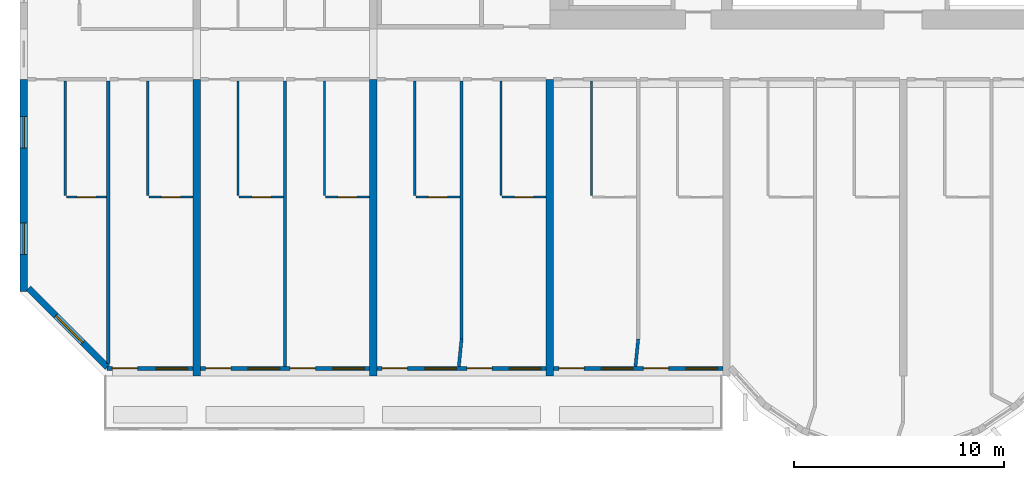
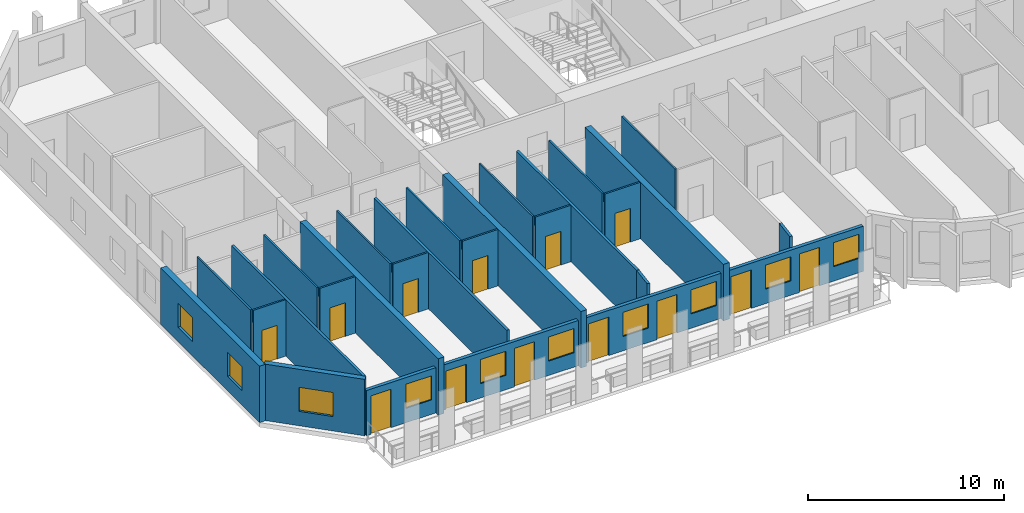
# One storey, part 2 of 14: 27 walls, 13 doors, 10 windows, 23 openings.
"""IFC4 building model written with IfcOpenShell, lengths in metres."""

from ifc_helpers import new_model, si_unit, direction, frame, frame_2d, origin, place, context, subcontext, project, spatial, rectangle, extrude, source, transform, mapped, material, layer, layer_set, type_object, element, fill, save


model = new_model("IFC4")

# Units and contexts
model_context = context("Model", 3, precision=1e-05, world=origin(), true_north=direction((0.0, 1.0)))
body_context = subcontext(model_context, "Body", "Model", "MODEL_VIEW")
ifc_project = project(units=[si_unit("LENGTHUNIT", "METRE"), si_unit("AREAUNIT", "SQUARE_METRE"), si_unit("VOLUMEUNIT", "CUBIC_METRE"), si_unit("PLANEANGLEUNIT", "RADIAN"), si_unit("MASSUNIT", "GRAM", prefix="KILO")], contexts=[model_context])

# Site, building, storey
site_placement = place(None, origin())
site = spatial("IfcSite", under=ifc_project, at=site_placement, CompositionType="ELEMENT")
building_placement = place(site_placement, origin())
building = spatial("IfcBuilding", under=site, at=building_placement, Name="Vanashikhar Sky Hotel", CompositionType="ELEMENT")
storey_placement = place(building_placement, frame((0.0, 0.0, 102.800048828125)))
storey = spatial("IfcBuildingStorey", under=building, at=storey_placement, Name="L24", CompositionType="ELEMENT", Elevation=102.800048828125)

# Wall, openings, windows
ifc_material_1 = material(Name="Concrete M70", Category="concrete")
ifc_layer_1 = layer(ifc_material_1, 0.35009765625)
ifc_layer_set_1 = layer_set([ifc_layer_1], Name="RC shear wall 350 Concrete M70")
wall_type_1 = type_object("IfcWallType", Name="RC shear wall 350 Concrete M70", PredefinedType="SHEAR", material=ifc_layer_set_1)
shared_shape_1 = source(origin(), body_context, "Body", "SweptSolid", [
    extrude(rectangle(XDim=10.10009765625, YDim=0.35009765625, at=frame_2d((5.050048828125, 0.0))), origin(), (0.0, 0.0, 1.0), 3.52001953125),
])
wall_1_placement = place(storey_placement, frame((0.175048828125, 9.5, 0.0), z_axis=(0.0, 0.0, 1.0), x_axis=(0.0, 1.0, 0.0)))
wall_1 = element("IfcWall", 1, at=wall_1_placement, inside=storey, type_object=wall_type_1, Name="CW-L24-XW01-1", PredefinedType="SHEAR", context=body_context, shape_type="MappedRepresentation", body=[
    mapped(shared_shape_1, transform((0.0, 0.0, 0.0), scale=1.0)),
])
shared_shape_2 = source(origin(), body_context, "Body", "SweptSolid", [
    extrude(rectangle(XDim=1.5, YDim=1.5, at=frame_2d((0.75, 0.75))), frame((0.0, 0.18505859375, 0.0), z_axis=(0.0, -1.0, 0.0), x_axis=(1.0, 0.0, 0.0)), (0.0, 0.0, 1.0), 0.3701171875),
])
opening_1_placement = place(wall_1_placement, frame((1.77490234375, 0.0, 0.89990234375)))
opening_1 = element("IfcOpeningElement", 2, at=opening_1_placement, cuts=wall_1, Name="Opening WN-1", PredefinedType="OPENING", context=body_context, shape_type="MappedRepresentation", body=[
    mapped(shared_shape_2, transform((0.0, 0.0, 0.0), scale=1.0)),
])
opening_2_placement = place(wall_1_placement, frame((6.824951171875, 0.0, 0.89990234375)))
opening_2 = element("IfcOpeningElement", 3, at=opening_2_placement, cuts=wall_1, Name="Opening WN-1", PredefinedType="OPENING", context=body_context, shape_type="MappedRepresentation", body=[
    mapped(shared_shape_2, transform((0.0, 0.0, 0.0), scale=1.0)),
])
ifc_material_2 = material(Name="Glass", Category="glass")
window_type_1 = type_object("IfcWindowType", Name="Window 1500 x 1500", PartitioningType="SINGLE_PANEL", PredefinedType="WINDOW", material=ifc_material_2)
shared_shape_3 = source(origin(), body_context, "Body", "SweptSolid", [
    extrude(rectangle(XDim=1.5, YDim=1.5, at=frame_2d((0.75, 0.75))), frame((0.0, 0.030029296875, 0.0), z_axis=(0.0, -1.0, 0.0), x_axis=(1.0, 0.0, 0.0)), (0.0, 0.0, 1.0), 0.06005859375),
])
window_1_placement = place(opening_1_placement, origin())
window_1 = element("IfcWindow", 4, at=window_1_placement, inside=storey, type_object=window_type_1, Name="Window WN-1", OverallHeight=1.5, OverallWidth=1.5, PartitioningType="SINGLE_PANEL", PredefinedType="WINDOW", context=body_context, shape_type="MappedRepresentation", body=[
    mapped(shared_shape_3, transform((0.0, 0.0, 0.0), scale=1.0)),
])
fill(opening_1, window_1)
window_2_placement = place(opening_2_placement, origin())
window_2 = element("IfcWindow", 5, at=window_2_placement, inside=storey, type_object=window_type_1, Name="Window WN-1", OverallHeight=1.5, OverallWidth=1.5, PartitioningType="SINGLE_PANEL", PredefinedType="WINDOW", context=body_context, shape_type="MappedRepresentation", body=[
    mapped(shared_shape_3, transform((0.0, 0.0, 0.0), scale=1.0)),
])
fill(opening_2, window_2)

# Walls
shared_shape_4 = source(origin(), body_context, "Body", "SweptSolid", [
    extrude(rectangle(XDim=14.10009765625, YDim=0.35009765625, at=frame_2d((7.050048828125, 0.0))), origin(), (0.0, 0.0, 1.0), 3.52001953125),
])
for number, where, z_axis, x_axis, name in (
    (6, (8.39990234375, 5.5, 0.0), (0.0, 0.0, 1.0), (0.0, 1.0, 0.0), "CW-L24-XW02-1"),
    (7, (16.800048828125, 5.5, 0.0), (0.0, 0.0, 1.0), (0.0, 1.0, 0.0), "CW-L24-XW03-1"),
    (8, (25.199951171875, 5.5, 0.0), (0.0, 0.0, 1.0), (0.0, 1.0, 0.0), "CW-L24-XW04-1"),
):
    element("IfcWall", number, at=place(storey_placement, frame(where, z_axis=z_axis, x_axis=x_axis)), inside=storey, type_object=wall_type_1, Name=name, PredefinedType="SHEAR", context=body_context, shape_type="MappedRepresentation", body=[
        mapped(shared_shape_4, transform((0.0, 0.0, 0.0), scale=1.0)),
    ])

# Wall, opening, window
ifc_material_3 = material(Name="Concrete M50", Category="concrete")
ifc_layer_2 = layer(ifc_material_3, 0.300048828125)
ifc_layer_set_2 = layer_set([ifc_layer_2], Name="Lobe wall 300")
wall_type_2 = type_object("IfcWallType", Name="Lobe wall 300", PredefinedType="SOLIDWALL", material=ifc_layer_set_2)
shared_shape_5 = source(origin(), body_context, "Body", "SweptSolid", [
    extrude(rectangle(XDim=5.32568359375, YDim=0.300048828125, at=frame_2d((2.662841796875, 0.0))), origin(), (0.0, 0.0, 1.0), 3.52001953125),
])
wall_2_placement = place(storey_placement, frame((0.39990234375, 9.665771484375, 0.0), z_axis=(0.0, 0.0, 1.0), x_axis=(0.707106781187, -0.707106781187, 0.0)))
wall_2 = element("IfcWall", 9, at=wall_2_placement, inside=storey, type_object=wall_type_2, Name="Corner wall", PredefinedType="SOLIDWALL", context=body_context, shape_type="MappedRepresentation", body=[
    mapped(shared_shape_5, transform((0.0, 0.0, 0.0), scale=1.0)),
])
shared_shape_6 = source(origin(), body_context, "Body", "SweptSolid", [
    extrude(rectangle(XDim=1.800048828125, YDim=1.5, at=frame_2d((0.89990234375, 0.75))), frame((0.0, 0.16015625, 0.0), z_axis=(0.0, -1.0, 0.0), x_axis=(1.0, 0.0, 0.0)), (0.0, 0.0, 1.0), 0.320068359375),
])
opening_3_placement = place(wall_2_placement, frame((1.853759765625, 0.0, 0.89990234375)))
opening_3 = element("IfcOpeningElement", 10, at=opening_3_placement, cuts=wall_2, Name="Opening WN-4", PredefinedType="OPENING", context=body_context, shape_type="MappedRepresentation", body=[
    mapped(shared_shape_6, transform((0.0, 0.0, 0.0), scale=1.0)),
])
window_type_2 = type_object("IfcWindowType", Name="Corner window 1800 x 1500", PartitioningType="SINGLE_PANEL", PredefinedType="WINDOW", material=ifc_material_2)
shared_shape_7 = source(origin(), body_context, "Body", "SweptSolid", [
    extrude(rectangle(XDim=1.800048828125, YDim=1.5, at=frame_2d((0.89990234375, 0.75))), frame((0.0, 0.030029296875, 0.0), z_axis=(0.0, -1.0, 0.0), x_axis=(1.0, 0.0, 0.0)), (0.0, 0.0, 1.0), 0.06005859375),
])
window_3_placement = place(opening_3_placement, origin())
window_3 = element("IfcWindow", 11, at=window_3_placement, inside=storey, type_object=window_type_2, Name="Window WN-4", OverallHeight=1.5, OverallWidth=1.800048828125, PartitioningType="SINGLE_PANEL", PredefinedType="WINDOW", context=body_context, shape_type="MappedRepresentation", body=[
    mapped(shared_shape_7, transform((0.0, 0.0, 0.0), scale=1.0)),
])
fill(opening_3, window_3)

# Wall, openings, window, door
ifc_layer_3 = layer(ifc_material_3, 0.199951171875)
ifc_layer_set_3 = layer_set([ifc_layer_3], Name="Front window wall 200")
wall_type_3 = type_object("IfcWallType", Name="Front window wall 200", PredefinedType="SOLIDWALL", material=ifc_layer_set_3)
shared_shape_8 = source(origin(), body_context, "Body", "SweptSolid", [
    extrude(rectangle(XDim=4.080078125, YDim=0.199951171875, at=frame_2d((2.0400390625, 0.0))), origin(), (0.0, 0.0, 1.0), 2.820068359375),
])
wall_3_placement = place(storey_placement, frame((4.14501953125, 5.85009765625, 0.0), z_axis=(0.0, 0.0, 1.0), x_axis=(1.0, 0.0, 0.0)))
wall_3 = element("IfcWall", 12, at=wall_3_placement, inside=storey, type_object=wall_type_3, Name="Front window wall", PredefinedType="SOLIDWALL", context=body_context, shape_type="MappedRepresentation", body=[
    mapped(shared_shape_8, transform((0.0, 0.0, 0.0), scale=1.0)),
])
shared_shape_9 = source(origin(), body_context, "Body", "SweptSolid", [
    extrude(rectangle(XDim=1.199951171875, YDim=2.39990234375, at=frame_2d((0.60009765625, 1.199951171875))), frame((0.0, 0.10986328125, 0.0), z_axis=(0.0, -1.0, 0.0), x_axis=(1.0, 0.0, 0.0)), (0.0, 0.0, 1.0), 0.219970703125),
])
opening_4_placement = place(wall_3_placement, frame((0.25, 0.0, 0.0)))
opening_4 = element("IfcOpeningElement", 13, at=opening_4_placement, cuts=wall_3, Name="Opening BD-01", PredefinedType="OPENING", context=body_context, shape_type="MappedRepresentation", body=[
    mapped(shared_shape_9, transform((0.0, 0.0, 0.0), scale=1.0)),
])
shared_shape_10 = source(origin(), body_context, "Body", "SweptSolid", [
    extrude(rectangle(XDim=1.5, YDim=1.5, at=frame_2d((0.75, 0.75))), frame((0.0, 0.10986328125, 0.0), z_axis=(0.0, -1.0, 0.0), x_axis=(1.0, 0.0, 0.0)), (0.0, 0.0, 1.0), 0.219970703125),
])
opening_5_placement = place(wall_3_placement, frame((2.330078125, 0.0, 0.89990234375)))
opening_5 = element("IfcOpeningElement", 14, at=opening_5_placement, cuts=wall_3, Name="Opening WN-1", PredefinedType="OPENING", context=body_context, shape_type="MappedRepresentation", body=[
    mapped(shared_shape_10, transform((0.0, 0.0, 0.0), scale=1.0)),
])
window_4_placement = place(opening_5_placement, origin())
window_4 = element("IfcWindow", 15, at=window_4_placement, inside=storey, type_object=window_type_1, Name="Window WN-1", OverallHeight=1.5, OverallWidth=1.5, PartitioningType="SINGLE_PANEL", PredefinedType="WINDOW", context=body_context, shape_type="MappedRepresentation", body=[
    mapped(shared_shape_3, transform((0.0, 0.0, 0.0), scale=1.0)),
])
fill(opening_5, window_4)
ifc_material_4 = material(Name="Aluminium", Category="aluminium")
door_type_1 = type_object("IfcDoorType", Name="Balcony sliding door 1200 x 2400", OperationType="NOTDEFINED", PredefinedType="DOOR", material=ifc_material_4)
shared_shape_11 = source(origin(), body_context, "Body", "SweptSolid", [
    extrude(rectangle(XDim=1.199951171875, YDim=2.39990234375, at=frame_2d((0.60009765625, 1.199951171875))), frame((0.0, 0.02490234375, 0.0), z_axis=(0.0, -1.0, 0.0), x_axis=(1.0, 0.0, 0.0)), (0.0, 0.0, 1.0), 0.050048828125),
])
door_1_placement = place(opening_4_placement, origin())
door_1 = element("IfcDoor", 16, at=door_1_placement, inside=storey, type_object=door_type_1, Name="Balcony sliding door", OperationType="SLIDING_TO_LEFT", OverallHeight=2.39990234375, OverallWidth=1.199951171875, PredefinedType="DOOR", context=body_context, shape_type="MappedRepresentation", body=[
    mapped(shared_shape_11, transform((0.0, 0.0, 0.0), scale=1.0)),
])
fill(opening_4, door_1)

# Wall, openings, windows, doors
shared_shape_12 = source(origin(), body_context, "Body", "SweptSolid", [
    extrude(rectangle(XDim=8.050048828125, YDim=0.199951171875, at=frame_2d((4.02490234375, 0.0))), origin(), (0.0, 0.0, 1.0), 2.820068359375),
])
wall_4_placement = place(storey_placement, frame((8.574951171875, 5.85009765625, 0.0), z_axis=(0.0, 0.0, 1.0), x_axis=(1.0, 0.0, 0.0)))
wall_4 = element("IfcWall", 17, at=wall_4_placement, inside=storey, type_object=wall_type_3, Name="Front window wall", PredefinedType="SOLIDWALL", context=body_context, shape_type="MappedRepresentation", body=[
    mapped(shared_shape_12, transform((0.0, 0.0, 0.0), scale=1.0)),
])
opening_6_placement = place(wall_4_placement, frame((0.25, 0.0, 0.0)))
opening_6 = element("IfcOpeningElement", 18, at=opening_6_placement, cuts=wall_4, Name="Opening BD-02", PredefinedType="OPENING", context=body_context, shape_type="MappedRepresentation", body=[
    mapped(shared_shape_9, transform((0.0, 0.0, 0.0), scale=1.0)),
])
opening_7_placement = place(wall_4_placement, frame((2.27490234375, 0.0, 0.89990234375)))
opening_7 = element("IfcOpeningElement", 19, at=opening_7_placement, cuts=wall_4, Name="Opening WN-1", PredefinedType="OPENING", context=body_context, shape_type="MappedRepresentation", body=[
    mapped(shared_shape_10, transform((0.0, 0.0, 0.0), scale=1.0)),
])
opening_8_placement = place(wall_4_placement, frame((4.27490234375, 0.0, 0.0)))
opening_8 = element("IfcOpeningElement", 20, at=opening_8_placement, cuts=wall_4, Name="Opening BD-03", PredefinedType="OPENING", context=body_context, shape_type="MappedRepresentation", body=[
    mapped(shared_shape_9, transform((0.0, 0.0, 0.0), scale=1.0)),
])
opening_9_placement = place(wall_4_placement, frame((6.300048828125, 0.0, 0.89990234375)))
opening_9 = element("IfcOpeningElement", 21, at=opening_9_placement, cuts=wall_4, Name="Opening WN-1", PredefinedType="OPENING", context=body_context, shape_type="MappedRepresentation", body=[
    mapped(shared_shape_10, transform((0.0, 0.0, 0.0), scale=1.0)),
])
window_5_placement = place(opening_7_placement, origin())
window_5 = element("IfcWindow", 22, at=window_5_placement, inside=storey, type_object=window_type_1, Name="Window WN-1", OverallHeight=1.5, OverallWidth=1.5, PartitioningType="SINGLE_PANEL", PredefinedType="WINDOW", context=body_context, shape_type="MappedRepresentation", body=[
    mapped(shared_shape_3, transform((0.0, 0.0, 0.0), scale=1.0)),
])
fill(opening_7, window_5)
window_6_placement = place(opening_9_placement, origin())
window_6 = element("IfcWindow", 23, at=window_6_placement, inside=storey, type_object=window_type_1, Name="Window WN-1", OverallHeight=1.5, OverallWidth=1.5, PartitioningType="SINGLE_PANEL", PredefinedType="WINDOW", context=body_context, shape_type="MappedRepresentation", body=[
    mapped(shared_shape_3, transform((0.0, 0.0, 0.0), scale=1.0)),
])
fill(opening_9, window_6)
door_2_placement = place(opening_6_placement, origin())
door_2 = element("IfcDoor", 24, at=door_2_placement, inside=storey, type_object=door_type_1, Name="Balcony sliding door", OperationType="SLIDING_TO_RIGHT", OverallHeight=2.39990234375, OverallWidth=1.199951171875, PredefinedType="DOOR", context=body_context, shape_type="MappedRepresentation", body=[
    mapped(shared_shape_11, transform((0.0, 0.0, 0.0), scale=1.0)),
])
fill(opening_6, door_2)
door_3_placement = place(opening_8_placement, origin())
door_3 = element("IfcDoor", 25, at=door_3_placement, inside=storey, type_object=door_type_1, Name="Balcony sliding door", OperationType="SLIDING_TO_LEFT", OverallHeight=2.39990234375, OverallWidth=1.199951171875, PredefinedType="DOOR", context=body_context, shape_type="MappedRepresentation", body=[
    mapped(shared_shape_11, transform((0.0, 0.0, 0.0), scale=1.0)),
])
fill(opening_8, door_3)

wall_5_placement = place(storey_placement, frame((25.375, 5.85009765625, 0.0), z_axis=(0.0, 0.0, 1.0), x_axis=(1.0, 0.0, 0.0)))
wall_5 = element("IfcWall", 26, at=wall_5_placement, inside=storey, type_object=wall_type_3, Name="Front window wall", PredefinedType="SOLIDWALL", context=body_context, shape_type="MappedRepresentation", body=[
    mapped(shared_shape_12, transform((0.0, 0.0, 0.0), scale=1.0)),
])
opening_10_placement = place(wall_5_placement, frame((0.25, 0.0, 0.0)))
opening_10 = element("IfcOpeningElement", 27, at=opening_10_placement, cuts=wall_5, Name="Opening BD-06", PredefinedType="OPENING", context=body_context, shape_type="MappedRepresentation", body=[
    mapped(shared_shape_9, transform((0.0, 0.0, 0.0), scale=1.0)),
])
opening_11_placement = place(wall_5_placement, frame((2.27490234375, 0.0, 0.89990234375)))
opening_11 = element("IfcOpeningElement", 28, at=opening_11_placement, cuts=wall_5, Name="Opening WN-1", PredefinedType="OPENING", context=body_context, shape_type="MappedRepresentation", body=[
    mapped(shared_shape_10, transform((0.0, 0.0, 0.0), scale=1.0)),
])
opening_12_placement = place(wall_5_placement, frame((4.27490234375, 0.0, 0.0)))
opening_12 = element("IfcOpeningElement", 29, at=opening_12_placement, cuts=wall_5, Name="Opening BD-07", PredefinedType="OPENING", context=body_context, shape_type="MappedRepresentation", body=[
    mapped(shared_shape_9, transform((0.0, 0.0, 0.0), scale=1.0)),
])
opening_13_placement = place(wall_5_placement, frame((6.300048828125, 0.0, 0.89990234375)))
opening_13 = element("IfcOpeningElement", 30, at=opening_13_placement, cuts=wall_5, Name="Opening WN-1", PredefinedType="OPENING", context=body_context, shape_type="MappedRepresentation", body=[
    mapped(shared_shape_10, transform((0.0, 0.0, 0.0), scale=1.0)),
])
window_7_placement = place(opening_11_placement, origin())
window_7 = element("IfcWindow", 31, at=window_7_placement, inside=storey, type_object=window_type_1, Name="Window WN-1", OverallHeight=1.5, OverallWidth=1.5, PartitioningType="SINGLE_PANEL", PredefinedType="WINDOW", context=body_context, shape_type="MappedRepresentation", body=[
    mapped(shared_shape_3, transform((0.0, 0.0, 0.0), scale=1.0)),
])
fill(opening_11, window_7)
window_8_placement = place(opening_13_placement, origin())
window_8 = element("IfcWindow", 32, at=window_8_placement, inside=storey, type_object=window_type_1, Name="Window WN-1", OverallHeight=1.5, OverallWidth=1.5, PartitioningType="SINGLE_PANEL", PredefinedType="WINDOW", context=body_context, shape_type="MappedRepresentation", body=[
    mapped(shared_shape_3, transform((0.0, 0.0, 0.0), scale=1.0)),
])
fill(opening_13, window_8)
door_4_placement = place(opening_10_placement, origin())
door_4 = element("IfcDoor", 33, at=door_4_placement, inside=storey, type_object=door_type_1, Name="Balcony sliding door", OperationType="SLIDING_TO_RIGHT", OverallHeight=2.39990234375, OverallWidth=1.199951171875, PredefinedType="DOOR", context=body_context, shape_type="MappedRepresentation", body=[
    mapped(shared_shape_11, transform((0.0, 0.0, 0.0), scale=1.0)),
])
fill(opening_10, door_4)
door_5_placement = place(opening_12_placement, origin())
door_5 = element("IfcDoor", 34, at=door_5_placement, inside=storey, type_object=door_type_1, Name="Balcony sliding door", OperationType="SLIDING_TO_LEFT", OverallHeight=2.39990234375, OverallWidth=1.199951171875, PredefinedType="DOOR", context=body_context, shape_type="MappedRepresentation", body=[
    mapped(shared_shape_11, transform((0.0, 0.0, 0.0), scale=1.0)),
])
fill(opening_12, door_5)

shared_shape_13 = source(origin(), body_context, "Body", "SweptSolid", [
    extrude(rectangle(XDim=8.0498046875, YDim=0.199951171875, at=frame_2d((4.02490234375, 0.0))), origin(), (0.0, 0.0, 1.0), 2.820068359375),
])
wall_6_placement = place(storey_placement, frame((16.97509765625, 5.85009765625, 0.0), z_axis=(0.0, 0.0, 1.0), x_axis=(1.0, 0.0, 0.0)))
wall_6 = element("IfcWall", 35, at=wall_6_placement, inside=storey, type_object=wall_type_3, Name="Front window wall", PredefinedType="SOLIDWALL", context=body_context, shape_type="MappedRepresentation", body=[
    mapped(shared_shape_13, transform((0.0, 0.0, 0.0), scale=1.0)),
])
opening_14_placement = place(wall_6_placement, frame((0.25, 0.0, 0.0)))
opening_14 = element("IfcOpeningElement", 36, at=opening_14_placement, cuts=wall_6, Name="Opening BD-04", PredefinedType="OPENING", context=body_context, shape_type="MappedRepresentation", body=[
    mapped(shared_shape_9, transform((0.0, 0.0, 0.0), scale=1.0)),
])
opening_15_placement = place(wall_6_placement, frame((2.27490234375, 0.0, 0.89990234375)))
opening_15 = element("IfcOpeningElement", 37, at=opening_15_placement, cuts=wall_6, Name="Opening WN-1", PredefinedType="OPENING", context=body_context, shape_type="MappedRepresentation", body=[
    mapped(shared_shape_10, transform((0.0, 0.0, 0.0), scale=1.0)),
])
opening_16_placement = place(wall_6_placement, frame((4.27490234375, 0.0, 0.0)))
opening_16 = element("IfcOpeningElement", 38, at=opening_16_placement, cuts=wall_6, Name="Opening BD-05", PredefinedType="OPENING", context=body_context, shape_type="MappedRepresentation", body=[
    mapped(shared_shape_9, transform((0.0, 0.0, 0.0), scale=1.0)),
])
opening_17_placement = place(wall_6_placement, frame((6.300048828125, 0.0, 0.89990234375)))
opening_17 = element("IfcOpeningElement", 39, at=opening_17_placement, cuts=wall_6, Name="Opening WN-1", PredefinedType="OPENING", context=body_context, shape_type="MappedRepresentation", body=[
    mapped(shared_shape_10, transform((0.0, 0.0, 0.0), scale=1.0)),
])
window_9_placement = place(opening_15_placement, origin())
window_9 = element("IfcWindow", 40, at=window_9_placement, inside=storey, type_object=window_type_1, Name="Window WN-1", OverallHeight=1.5, OverallWidth=1.5, PartitioningType="SINGLE_PANEL", PredefinedType="WINDOW", context=body_context, shape_type="MappedRepresentation", body=[
    mapped(shared_shape_3, transform((0.0, 0.0, 0.0), scale=1.0)),
])
fill(opening_15, window_9)
window_10_placement = place(opening_17_placement, origin())
window_10 = element("IfcWindow", 41, at=window_10_placement, inside=storey, type_object=window_type_1, Name="Window WN-1", OverallHeight=1.5, OverallWidth=1.5, PartitioningType="SINGLE_PANEL", PredefinedType="WINDOW", context=body_context, shape_type="MappedRepresentation", body=[
    mapped(shared_shape_3, transform((0.0, 0.0, 0.0), scale=1.0)),
])
fill(opening_17, window_10)
door_6_placement = place(opening_14_placement, origin())
door_6 = element("IfcDoor", 42, at=door_6_placement, inside=storey, type_object=door_type_1, Name="Balcony sliding door", OperationType="SLIDING_TO_RIGHT", OverallHeight=2.39990234375, OverallWidth=1.199951171875, PredefinedType="DOOR", context=body_context, shape_type="MappedRepresentation", body=[
    mapped(shared_shape_11, transform((0.0, 0.0, 0.0), scale=1.0)),
])
fill(opening_14, door_6)
door_7_placement = place(opening_16_placement, origin())
door_7 = element("IfcDoor", 43, at=door_7_placement, inside=storey, type_object=door_type_1, Name="Balcony sliding door", OperationType="SLIDING_TO_LEFT", OverallHeight=2.39990234375, OverallWidth=1.199951171875, PredefinedType="DOOR", context=body_context, shape_type="MappedRepresentation", body=[
    mapped(shared_shape_11, transform((0.0, 0.0, 0.0), scale=1.0)),
])
fill(opening_16, door_7)

# Walls
ifc_material_5 = material(Name="Gypsum plasterboard partition")
ifc_layer_4 = layer(ifc_material_5, 0.10009765625)
ifc_layer_set_4 = layer_set([ifc_layer_4], Name="Wet room partition 100")
wall_type_4 = type_object("IfcWallType", Name="Wet room partition 100", PredefinedType="PARTITIONING", material=ifc_layer_set_4)
shared_shape_14 = source(origin(), body_context, "Body", "SweptSolid", [
    extrude(rectangle(XDim=5.449951171875, YDim=0.10009765625, at=frame_2d((2.72509765625, 0.0))), origin(), (0.0, 0.0, 1.0), 3.52001953125),
])
for number, where, z_axis, x_axis, name in (
    (44, (2.14990234375, 14.074951171875, 0.0), (0.0, 0.0, 1.0), (0.0, 1.0, 0.0), "W-L24-PW001"),
    (45, (6.074951171875, 14.074951171875, 0.0), (0.0, 0.0, 1.0), (0.0, 1.0, 0.0), "W-L24-PW004"),
    (46, (10.375, 14.074951171875, 0.0), (0.0, 0.0, 1.0), (0.0, 1.0, 0.0), "W-L24-PW008"),
    (47, (14.47509765625, 14.074951171875, 0.0), (0.0, 0.0, 1.0), (0.0, 1.0, 0.0), "W-L24-PW011"),
    (48, (18.77490234375, 14.074951171875, 0.0), (0.0, 0.0, 1.0), (0.0, 1.0, 0.0), "W-L24-PW015"),
    (49, (22.875, 14.074951171875, 0.0), (0.0, 0.0, 1.0), (0.0, 1.0, 0.0), "W-L24-PW018"),
    (50, (27.175048828125, 14.074951171875, 0.0), (0.0, 0.0, 1.0), (0.0, 1.0, 0.0), "W-L24-PW022"),
):
    element("IfcWall", number, at=place(storey_placement, frame(where, z_axis=z_axis, x_axis=x_axis)), inside=storey, type_object=wall_type_4, Name=name, PredefinedType="PARTITIONING", context=body_context, shape_type="MappedRepresentation", body=[
        mapped(shared_shape_14, transform((0.0, 0.0, 0.0), scale=1.0)),
    ])

# Wall, opening, door
shared_shape_15 = source(origin(), body_context, "Body", "SweptSolid", [
    extrude(rectangle(XDim=1.925048828125, YDim=0.10009765625, at=frame_2d((0.96240234375, 0.0))), origin(), (0.0, 0.0, 1.0), 3.52001953125),
])
wall_7_placement = place(storey_placement, frame((2.199951171875, 14.0, 0.0), z_axis=(0.0, 0.0, 1.0), x_axis=(1.0, 0.0, 0.0)))
wall_7 = element("IfcWall", 51, at=wall_7_placement, inside=storey, type_object=wall_type_4, Name="W-L24-PW002", PredefinedType="PARTITIONING", context=body_context, shape_type="MappedRepresentation", body=[
    mapped(shared_shape_15, transform((0.0, 0.0, 0.0), scale=1.0)),
])
shared_shape_16 = source(origin(), body_context, "Body", "SweptSolid", [
    extrude(rectangle(XDim=0.89990234375, YDim=2.10009765625, at=frame_2d((0.449951171875, 1.050048828125))), frame((0.0, 0.06005859375, 0.0), z_axis=(0.0, -1.0, 0.0), x_axis=(1.0, 0.0, 0.0)), (0.0, 0.0, 1.0), 0.1201171875),
])
opening_18_placement = place(wall_7_placement, frame((0.511962890625, 0.0, 0.0)))
opening_18 = element("IfcOpeningElement", 52, at=opening_18_placement, cuts=wall_7, Name="Opening D-02", PredefinedType="OPENING", context=body_context, shape_type="MappedRepresentation", body=[
    mapped(shared_shape_16, transform((0.0, 0.0, 0.0), scale=1.0)),
])
ifc_material_6 = material(Name="Timber door", Category="wood")
door_type_2 = type_object("IfcDoorType", Name="Internal door 900", OperationType="NOTDEFINED", PredefinedType="DOOR", material=ifc_material_6)
shared_shape_17 = source(origin(), body_context, "Body", "SweptSolid", [
    extrude(rectangle(XDim=0.89990234375, YDim=2.10009765625, at=frame_2d((0.449951171875, 1.050048828125))), frame((0.0, 0.02490234375, 0.0), z_axis=(0.0, -1.0, 0.0), x_axis=(1.0, 0.0, 0.0)), (0.0, 0.0, 1.0), 0.050048828125),
])
door_8_placement = place(opening_18_placement, origin())
door_8 = element("IfcDoor", 53, at=door_8_placement, inside=storey, type_object=door_type_2, Name="D-L24-001", OperationType="SINGLE_SWING_LEFT", OverallHeight=2.10009765625, OverallWidth=0.89990234375, PredefinedType="DOOR", context=body_context, shape_type="MappedRepresentation", body=[
    mapped(shared_shape_17, transform((0.0, 0.0, 0.0), scale=1.0)),
])
fill(opening_18, door_8)

shared_shape_18 = source(origin(), body_context, "Body", "SweptSolid", [
    extrude(rectangle(XDim=2.10009765625, YDim=0.10009765625, at=frame_2d((1.050048828125, 0.0))), origin(), (0.0, 0.0, 1.0), 3.52001953125),
])
wall_8_placement = place(storey_placement, frame((6.125, 14.0, 0.0), z_axis=(0.0, 0.0, 1.0), x_axis=(1.0, 0.0, 0.0)))
wall_8 = element("IfcWall", 54, at=wall_8_placement, inside=storey, type_object=wall_type_4, Name="W-L24-PW005", PredefinedType="PARTITIONING", context=body_context, shape_type="MappedRepresentation", body=[
    mapped(shared_shape_18, transform((0.0, 0.0, 0.0), scale=1.0)),
])
opening_19_placement = place(wall_8_placement, frame((0.60009765625, 0.0, 0.0)))
opening_19 = element("IfcOpeningElement", 55, at=opening_19_placement, cuts=wall_8, Name="Opening D-02", PredefinedType="OPENING", context=body_context, shape_type="MappedRepresentation", body=[
    mapped(shared_shape_16, transform((0.0, 0.0, 0.0), scale=1.0)),
])
door_9_placement = place(opening_19_placement, origin())
door_9 = element("IfcDoor", 56, at=door_9_placement, inside=storey, type_object=door_type_2, Name="D-L24-003", OperationType="SINGLE_SWING_LEFT", OverallHeight=2.10009765625, OverallWidth=0.89990234375, PredefinedType="DOOR", context=body_context, shape_type="MappedRepresentation", body=[
    mapped(shared_shape_17, transform((0.0, 0.0, 0.0), scale=1.0)),
])
fill(opening_19, door_9)

wall_9_placement = place(storey_placement, frame((14.52490234375, 14.0, 0.0), z_axis=(0.0, 0.0, 1.0), x_axis=(1.0, 0.0, 0.0)))
wall_9 = element("IfcWall", 57, at=wall_9_placement, inside=storey, type_object=wall_type_4, Name="W-L24-PW012", PredefinedType="PARTITIONING", context=body_context, shape_type="MappedRepresentation", body=[
    mapped(shared_shape_18, transform((0.0, 0.0, 0.0), scale=1.0)),
])
opening_20_placement = place(wall_9_placement, frame((0.60009765625, 0.0, 0.0)))
opening_20 = element("IfcOpeningElement", 58, at=opening_20_placement, cuts=wall_9, Name="Opening D-02", PredefinedType="OPENING", context=body_context, shape_type="MappedRepresentation", body=[
    mapped(shared_shape_16, transform((0.0, 0.0, 0.0), scale=1.0)),
])
door_10_placement = place(opening_20_placement, origin())
door_10 = element("IfcDoor", 59, at=door_10_placement, inside=storey, type_object=door_type_2, Name="D-L24-007", OperationType="SINGLE_SWING_LEFT", OverallHeight=2.10009765625, OverallWidth=0.89990234375, PredefinedType="DOOR", context=body_context, shape_type="MappedRepresentation", body=[
    mapped(shared_shape_17, transform((0.0, 0.0, 0.0), scale=1.0)),
])
fill(opening_20, door_10)

wall_10_placement = place(storey_placement, frame((18.824951171875, 14.0, 0.0), z_axis=(0.0, 0.0, 1.0), x_axis=(1.0, 0.0, 0.0)))
wall_10 = element("IfcWall", 60, at=wall_10_placement, inside=storey, type_object=wall_type_4, Name="W-L24-PW016", PredefinedType="PARTITIONING", context=body_context, shape_type="MappedRepresentation", body=[
    mapped(shared_shape_18, transform((0.0, 0.0, 0.0), scale=1.0)),
])
opening_21_placement = place(wall_10_placement, frame((0.60009765625, 0.0, 0.0)))
opening_21 = element("IfcOpeningElement", 61, at=opening_21_placement, cuts=wall_10, Name="Opening D-02", PredefinedType="OPENING", context=body_context, shape_type="MappedRepresentation", body=[
    mapped(shared_shape_16, transform((0.0, 0.0, 0.0), scale=1.0)),
])
door_11_placement = place(opening_21_placement, origin())
door_11 = element("IfcDoor", 62, at=door_11_placement, inside=storey, type_object=door_type_2, Name="D-L24-009", OperationType="SINGLE_SWING_LEFT", OverallHeight=2.10009765625, OverallWidth=0.89990234375, PredefinedType="DOOR", context=body_context, shape_type="MappedRepresentation", body=[
    mapped(shared_shape_17, transform((0.0, 0.0, 0.0), scale=1.0)),
])
fill(opening_21, door_11)

# Wall
ifc_layer_5 = layer(ifc_material_5, 0.14990234375)
ifc_layer_set_5 = layer_set([ifc_layer_5], Name="Corridor and demising partition 150")
wall_type_5 = type_object("IfcWallType", Name="Corridor and demising partition 150", PredefinedType="PARTITIONING", material=ifc_layer_set_5)
shared_shape_19 = source(origin(), body_context, "Body", "SweptSolid", [
    extrude(rectangle(XDim=13.447021484375, YDim=0.14990234375, at=frame_2d((6.7236328125, 0.0))), origin(), (0.0, 0.0, 1.0), 3.52001953125),
])
wall_11_placement = place(storey_placement, frame((4.199951171875, 6.077880859375, 0.0), z_axis=(0.0, 0.0, 1.0), x_axis=(0.0, 1.0, 0.0)))
element("IfcWall", 63, at=wall_11_placement, inside=storey, type_object=wall_type_5, Name="W-L24-PW007", PredefinedType="PARTITIONING", context=body_context, shape_type="MappedRepresentation", body=[
    mapped(shared_shape_19, transform((0.0, 0.0, 0.0), scale=1.0)),
])

# Wall, opening, door
shared_shape_20 = source(origin(), body_context, "Body", "SweptSolid", [
    extrude(rectangle(XDim=2.099853515625, YDim=0.10009765625, at=frame_2d((1.0498046875, 0.0))), origin(), (0.0, 0.0, 1.0), 3.52001953125),
])
wall_12_placement = place(storey_placement, frame((10.425048828125, 14.0, 0.0), z_axis=(0.0, 0.0, 1.0), x_axis=(1.0, 0.0, 0.0)))
wall_12 = element("IfcWall", 64, at=wall_12_placement, inside=storey, type_object=wall_type_4, Name="W-L24-PW009", PredefinedType="PARTITIONING", context=body_context, shape_type="MappedRepresentation", body=[
    mapped(shared_shape_20, transform((0.0, 0.0, 0.0), scale=1.0)),
])
opening_22_placement = place(wall_12_placement, frame((0.60009765625, 0.0, 0.0)))
opening_22 = element("IfcOpeningElement", 65, at=opening_22_placement, cuts=wall_12, Name="Opening D-02", PredefinedType="OPENING", context=body_context, shape_type="MappedRepresentation", body=[
    mapped(shared_shape_16, transform((0.0, 0.0, 0.0), scale=1.0)),
])
door_12_placement = place(opening_22_placement, origin())
door_12 = element("IfcDoor", 66, at=door_12_placement, inside=storey, type_object=door_type_2, Name="D-L24-005", OperationType="SINGLE_SWING_LEFT", OverallHeight=2.10009765625, OverallWidth=0.89990234375, PredefinedType="DOOR", context=body_context, shape_type="MappedRepresentation", body=[
    mapped(shared_shape_17, transform((0.0, 0.0, 0.0), scale=1.0)),
])
fill(opening_22, door_12)

wall_13_placement = place(storey_placement, frame((22.925048828125, 14.0, 0.0), z_axis=(0.0, 0.0, 1.0), x_axis=(1.0, 0.0, 0.0)))
wall_13 = element("IfcWall", 67, at=wall_13_placement, inside=storey, type_object=wall_type_4, Name="W-L24-PW019", PredefinedType="PARTITIONING", context=body_context, shape_type="MappedRepresentation", body=[
    mapped(shared_shape_20, transform((0.0, 0.0, 0.0), scale=1.0)),
])
opening_23_placement = place(wall_13_placement, frame((0.60009765625, 0.0, 0.0)))
opening_23 = element("IfcOpeningElement", 68, at=opening_23_placement, cuts=wall_13, Name="Opening D-02", PredefinedType="OPENING", context=body_context, shape_type="MappedRepresentation", body=[
    mapped(shared_shape_16, transform((0.0, 0.0, 0.0), scale=1.0)),
])
door_13_placement = place(opening_23_placement, origin())
door_13 = element("IfcDoor", 69, at=door_13_placement, inside=storey, type_object=door_type_2, Name="D-L24-011", OperationType="SINGLE_SWING_LEFT", OverallHeight=2.10009765625, OverallWidth=0.89990234375, PredefinedType="DOOR", context=body_context, shape_type="MappedRepresentation", body=[
    mapped(shared_shape_17, transform((0.0, 0.0, 0.0), scale=1.0)),
])
fill(opening_23, door_13)

# Walls
shared_shape_21 = source(origin(), body_context, "Body", "SweptSolid", [
    extrude(rectangle(XDim=12.27490234375, YDim=0.14990234375, at=frame_2d((6.137451171875, 0.0))), origin(), (0.0, 0.0, 1.0), 3.52001953125),
])
wall_14_placement = place(storey_placement, frame((21.0, 7.25, 0.0), z_axis=(0.0, 0.0, 1.0), x_axis=(0.0, 1.0, 0.0)))
element("IfcWall", 70, at=wall_14_placement, inside=storey, type_object=wall_type_5, Name="W-L24-PW021", PredefinedType="PARTITIONING", context=body_context, shape_type="MappedRepresentation", body=[
    mapped(shared_shape_21, transform((0.0, 0.0, 0.0), scale=1.0)),
])
shared_shape_22 = source(origin(), body_context, "Body", "SweptSolid", [
    extrude(rectangle(XDim=1.306640625, YDim=0.14990234375, at=frame_2d((0.6533203125, 0.0))), origin(), (0.0, 0.0, 1.0), 3.52001953125),
])
for number, where, z_axis, x_axis, name in (
    (71, (20.8701171875, 5.949951171875, 0.0), (0.0, 0.0, 1.0), (0.099411212066, 0.995046436562, 0.0), "W-L24-PW021B0"),
    (72, (29.27001953125, 5.949951171875, 0.0), (0.0, 0.0, 1.0), (0.099411212066, 0.995046436562, 0.0), "W-L24-PW028B0"),
):
    element("IfcWall", number, at=place(storey_placement, frame(where, z_axis=z_axis, x_axis=x_axis)), inside=storey, type_object=wall_type_5, Name=name, PredefinedType="PARTITIONING", context=body_context, shape_type="MappedRepresentation", body=[
        mapped(shared_shape_22, transform((0.0, 0.0, 0.0), scale=1.0)),
    ])
shared_shape_23 = source(origin(), body_context, "Body", "SweptSolid", [
    extrude(rectangle(XDim=13.574951171875, YDim=0.14990234375, at=frame_2d((6.78759765625, 0.0))), origin(), (0.0, 0.0, 1.0), 3.52001953125),
])
wall_15_placement = place(storey_placement, frame((12.60009765625, 5.949951171875, 0.0), z_axis=(0.0, 0.0, 1.0), x_axis=(0.0, 1.0, 0.0)))
element("IfcWall", 73, at=wall_15_placement, inside=storey, type_object=wall_type_5, Name="W-L24-PW014", PredefinedType="PARTITIONING", context=body_context, shape_type="MappedRepresentation", body=[
    mapped(shared_shape_23, transform((0.0, 0.0, 0.0), scale=1.0)),
])

save(model, "model.ifc")
